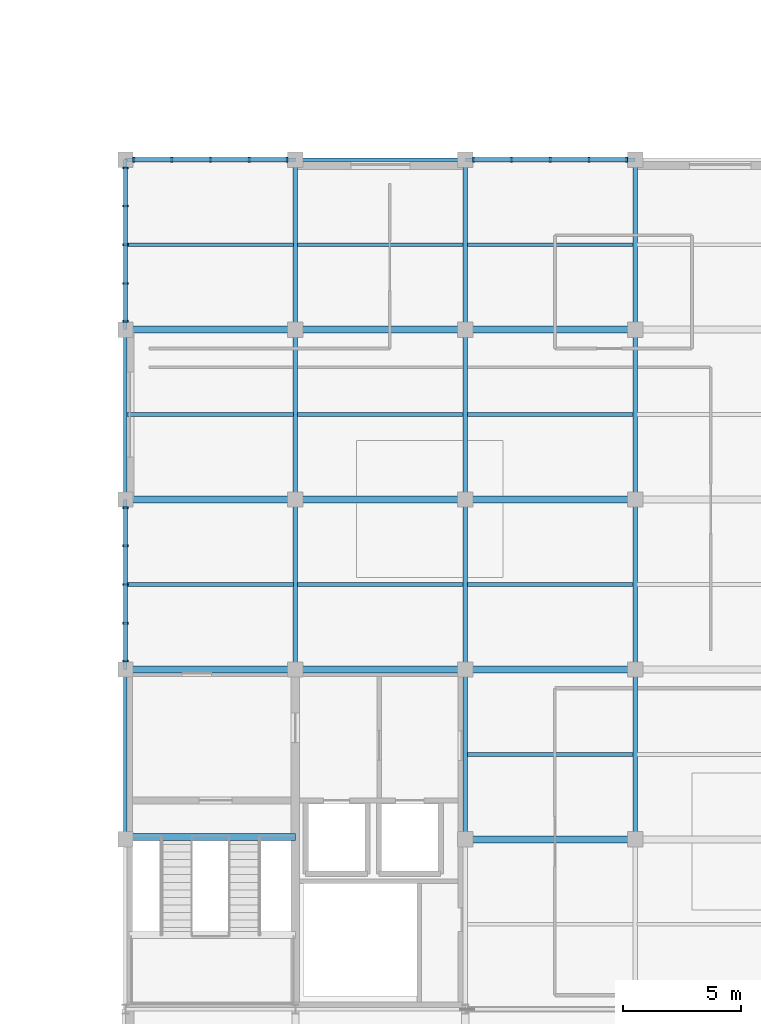
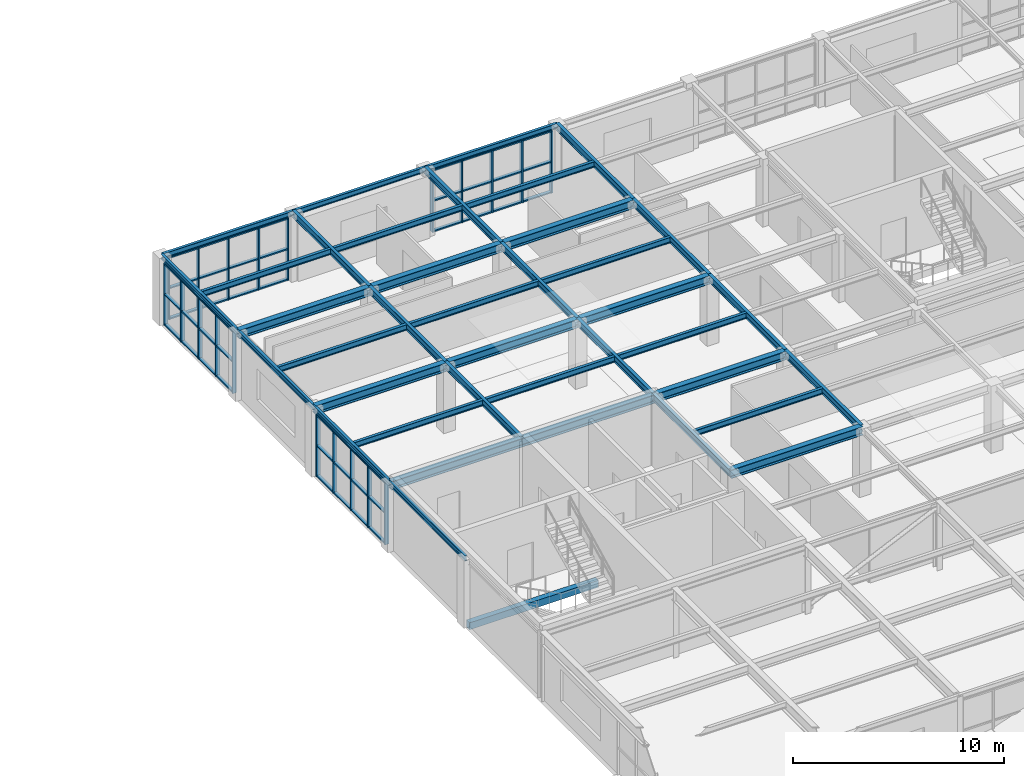
# One storey, part 39 of 83: 39 beams, 32 members, 4 elements without a shape of their own.
"""IFC4 building model written with IfcOpenShell, lengths in metres."""

from ifc_helpers import new_model, si_unit, direction, frame, origin, origin_2d, place, context, subcontext, project, spatial, rectangle, i_section, extrude, material, material_profile, profile_set, type_object, element, aggregate, save


model = new_model("IFC4")

# Units and contexts
model_context = context("Model", 3, precision=1e-05, world=origin(), true_north=direction((0.0, 1.0)))
body_context = subcontext(model_context, "Body", "Model", "MODEL_VIEW")
ifc_project = project(units=[si_unit("LENGTHUNIT", "METRE"), si_unit("AREAUNIT", "SQUARE_METRE"), si_unit("VOLUMEUNIT", "CUBIC_METRE"), si_unit("PLANEANGLEUNIT", "RADIAN"), si_unit("MASSUNIT", "GRAM", prefix="KILO")], contexts=[model_context])

# Site, building, storey
site_placement = place(None, origin())
site = spatial("IfcSite", under=ifc_project, at=site_placement, CompositionType="ELEMENT")
building_placement = place(site_placement, origin())
building = spatial("IfcBuilding", under=site, at=building_placement, Name="Leyfeld Transit Interchange", CompositionType="ELEMENT")
storey_placement = place(building_placement, frame((0.0, 0.0, 5.39990234375)))
storey = spatial("IfcBuildingStorey", under=building, at=storey_placement, Name="L01", CompositionType="ELEMENT", Elevation=5.39990234375)

# Beams
ifc_material_1 = material(Name="Concrete C35/45", Category="concrete")
ifc_material_profile_1 = material_profile(ifc_material_1, rectangle(XDim=0.300048828125, YDim=0.39990234375, at=origin_2d()), Name="RC 400x300")
ifc_profile_set_1 = profile_set([ifc_material_profile_1], Name="Concrete C35/45")
beam_type_1 = type_object("IfcBeamType", Name="BM-RC-400x300", PredefinedType="LINTEL", material=ifc_profile_set_1)
beam_1_placement = place(storey_placement, frame((136.949951171875, 64.89990234375, -0.199951171875), z_axis=(1.0, 0.0, 0.0), x_axis=(0.0, 1.0, 0.0)))
element("IfcBeam", 1, at=beam_1_placement, inside=storey, type_object=beam_type_1, Name="Core K4 Floor Landing Corbel L01", PredefinedType="LINTEL", context=body_context, shape_type="SweptSolid", body=[
    extrude(rectangle(XDim=0.300048828125, YDim=0.39990234375, at=origin_2d()), origin(), (0.0, 0.0, 1.0), 7.050048828125),
])
ifc_material_2 = material(Name="Steel S355J2", Category="steel")
ifc_material_profile_2 = material_profile(ifc_material_2, i_section(OverallWidth=0.300048828125, OverallDepth=0.5, WebThickness=0.014404296875, FlangeThickness=0.028076171875, FilletRadius=0.027099609375, at=origin_2d()), Name="HEB 500")
ifc_profile_set_2 = profile_set([ifc_material_profile_2], Name="Steel S355J2")
beam_type_2 = type_object("IfcBeamType", Name="BM-STL-HEB500", PredefinedType="JOIST", material=ifc_profile_set_2)
for number, where, z_axis, x_axis, name in (
    (2, (151.199951171875, 64.800048828125, 3.650146484375), (1.0, 0.0, 0.0), (0.0, 1.0, 0.0), "Beam BM-L01-1512_0648-1584_0648"),
    (3, (136.800048828125, 72.0, 3.650146484375), (1.0, 0.0, 0.0), (0.0, 1.0, 0.0), "Beam BM-L01-1368_0720-1440_0720"),
    (4, (144.0, 72.0, 3.650146484375), (1.0, 0.0, 0.0), (0.0, 1.0, 0.0), "Beam BM-L01-1440_0720-1512_0720"),
    (5, (151.199951171875, 72.0, 3.650146484375), (1.0, 0.0, 0.0), (0.0, 1.0, 0.0), "Beam BM-L01-1512_0720-1584_0720"),
    (6, (136.800048828125, 79.199951171875, 3.650146484375), (1.0, 0.0, 0.0), (0.0, 1.0, 0.0), "Beam BM-L01-1368_0792-1440_0792"),
    (7, (144.0, 79.199951171875, 3.650146484375), (1.0, 0.0, 0.0), (0.0, 1.0, 0.0), "Beam BM-L01-1440_0792-1512_0792"),
    (8, (151.199951171875, 79.199951171875, 3.650146484375), (1.0, 0.0, 0.0), (0.0, 1.0, 0.0), "Beam BM-L01-1512_0792-1584_0792"),
    (9, (136.800048828125, 86.39990234375, 3.650146484375), (1.0, 0.0, 0.0), (0.0, 1.0, 0.0), "Beam BM-L01-1368_0864-1440_0864"),
    (10, (144.0, 86.39990234375, 3.650146484375), (1.0, 0.0, 0.0), (0.0, 1.0, 0.0), "Beam BM-L01-1440_0864-1512_0864"),
    (11, (151.199951171875, 86.39990234375, 3.650146484375), (1.0, 0.0, 0.0), (0.0, 1.0, 0.0), "Beam BM-L01-1512_0864-1584_0864"),
):
    element("IfcBeam", number, at=place(storey_placement, frame(where, z_axis=z_axis, x_axis=x_axis)), inside=storey, type_object=beam_type_2, Name=name, PredefinedType="JOIST", context=body_context, shape_type="SweptSolid", body=[
        extrude(i_section(OverallWidth=0.300048828125, OverallDepth=0.5, WebThickness=0.014404296875, FlangeThickness=0.028076171875, FilletRadius=0.027099609375, at=origin_2d()), origin(), (0.0, 0.0, 1.0), 7.199951171875),
    ])
ifc_material_profile_3 = material_profile(ifc_material_2, i_section(OverallWidth=0.14990234375, OverallDepth=0.300048828125, WebThickness=0.007080078125, FlangeThickness=0.0107421875, FilletRadius=0.014892578125, at=origin_2d()), Name="IPE 300")
ifc_profile_set_3 = profile_set([ifc_material_profile_3], Name="Steel S355J2")
beam_type_3 = type_object("IfcBeamType", Name="BM-STL-IPE300", PredefinedType="SPANDREL", material=ifc_profile_set_3)
for number, where, z_axis, x_axis, name in (
    (12, (136.800048828125, 64.800048828125, 3.75), (0.0, 1.0, 0.0), (-1.0, 0.0, 0.0), "Beam BM-L01-1368_0648-1368_0720"),
    (13, (136.800048828125, 72.0, 3.75), (0.0, 1.0, 0.0), (-1.0, 0.0, 0.0), "Beam BM-L01-1368_0720-1368_0792"),
    (14, (136.800048828125, 79.199951171875, 3.75), (0.0, 1.0, 0.0), (-1.0, 0.0, 0.0), "Beam BM-L01-1368_0792-1368_0864"),
):
    element("IfcBeam", number, at=place(storey_placement, frame(where, z_axis=z_axis, x_axis=x_axis)), inside=storey, type_object=beam_type_3, Name=name, PredefinedType="SPANDREL", context=body_context, shape_type="SweptSolid", body=[
        extrude(i_section(OverallWidth=0.14990234375, OverallDepth=0.300048828125, WebThickness=0.007080078125, FlangeThickness=0.0107421875, FilletRadius=0.014892578125, at=origin_2d()), origin(), (0.0, 0.0, 1.0), 7.199951171875),
    ])
beam_2_placement = place(storey_placement, frame((136.800048828125, 86.39990234375, 3.75), z_axis=(0.0, 1.0, 0.0), x_axis=(-1.0, 0.0, 0.0)))
element("IfcBeam", 15, at=beam_2_placement, inside=storey, type_object=beam_type_3, Name="Beam BM-L01-1368_0864-1368_0936", PredefinedType="SPANDREL", context=body_context, shape_type="SweptSolid", body=[
    extrude(i_section(OverallWidth=0.14990234375, OverallDepth=0.300048828125, WebThickness=0.007080078125, FlangeThickness=0.0107421875, FilletRadius=0.014892578125, at=origin_2d()), origin(), (0.0, 0.0, 1.0), 7.2001953125),
])
for number, where, z_axis, x_axis, name in (
    (16, (136.800048828125, 93.60009765625, 3.75), (1.0, 0.0, 0.0), (0.0, 1.0, 0.0), "Beam BM-L01-1368_0936-1440_0936"),
    (17, (144.0, 93.60009765625, 3.75), (1.0, 0.0, 0.0), (0.0, 1.0, 0.0), "Beam BM-L01-1440_0936-1512_0936"),
    (18, (151.199951171875, 93.60009765625, 3.75), (1.0, 0.0, 0.0), (0.0, 1.0, 0.0), "Beam BM-L01-1512_0936-1584_0936"),
):
    element("IfcBeam", number, at=place(storey_placement, frame(where, z_axis=z_axis, x_axis=x_axis)), inside=storey, type_object=beam_type_3, Name=name, PredefinedType="SPANDREL", context=body_context, shape_type="SweptSolid", body=[
        extrude(i_section(OverallWidth=0.14990234375, OverallDepth=0.300048828125, WebThickness=0.007080078125, FlangeThickness=0.0107421875, FilletRadius=0.014892578125, at=origin_2d()), origin(), (0.0, 0.0, 1.0), 7.199951171875),
    ])
ifc_material_profile_4 = material_profile(ifc_material_2, i_section(OverallWidth=0.159912109375, OverallDepth=0.330078125, WebThickness=0.007568359375, FlangeThickness=0.011474609375, FilletRadius=0.01806640625, at=origin_2d()), Name="IPE 330")
ifc_profile_set_4 = profile_set([ifc_material_profile_4], Name="Steel S355J2")
beam_type_4 = type_object("IfcBeamType", Name="BM-STL-IPE330", PredefinedType="BEAM", material=ifc_profile_set_4)
beam_3_placement = place(storey_placement, frame((151.287109375, 68.39990234375, 3.735107421875), z_axis=(1.0, 0.0, 0.0), x_axis=(0.0, 1.0, 0.0)))
element("IfcBeam", 19, at=beam_3_placement, inside=storey, type_object=beam_type_4, Name="Beam BM-L01-1513_0684-1583_0684", PredefinedType="BEAM", context=body_context, shape_type="SweptSolid", body=[
    extrude(i_section(OverallWidth=0.159912109375, OverallDepth=0.330078125, WebThickness=0.007568359375, FlangeThickness=0.011474609375, FilletRadius=0.01806640625, at=origin_2d()), origin(), (0.0, 0.0, 1.0), 7.02587890625),
])
beam_4_placement = place(storey_placement, frame((136.8720703125, 75.60009765625, 3.735107421875), z_axis=(1.0, 0.0, 0.0), x_axis=(0.0, 1.0, 0.0)))
element("IfcBeam", 20, at=beam_4_placement, inside=storey, type_object=beam_type_4, Name="Beam BM-L01-1369_0756-1439_0756", PredefinedType="BEAM", context=body_context, shape_type="SweptSolid", body=[
    extrude(i_section(OverallWidth=0.159912109375, OverallDepth=0.330078125, WebThickness=0.007568359375, FlangeThickness=0.011474609375, FilletRadius=0.01806640625, at=origin_2d()), origin(), (0.0, 0.0, 1.0), 7.041015625),
])
beam_5_placement = place(storey_placement, frame((144.0869140625, 75.60009765625, 3.735107421875), z_axis=(1.0, 0.0, 0.0), x_axis=(0.0, 1.0, 0.0)))
element("IfcBeam", 21, at=beam_5_placement, inside=storey, type_object=beam_type_4, Name="Beam BM-L01-1441_0756-1511_0756", PredefinedType="BEAM", context=body_context, shape_type="SweptSolid", body=[
    extrude(i_section(OverallWidth=0.159912109375, OverallDepth=0.330078125, WebThickness=0.007568359375, FlangeThickness=0.011474609375, FilletRadius=0.01806640625, at=origin_2d()), origin(), (0.0, 0.0, 1.0), 7.026123046875),
])
beam_6_placement = place(storey_placement, frame((151.287109375, 75.60009765625, 3.735107421875), z_axis=(1.0, 0.0, 0.0), x_axis=(0.0, 1.0, 0.0)))
element("IfcBeam", 22, at=beam_6_placement, inside=storey, type_object=beam_type_4, Name="Beam BM-L01-1513_0756-1583_0756", PredefinedType="BEAM", context=body_context, shape_type="SweptSolid", body=[
    extrude(i_section(OverallWidth=0.159912109375, OverallDepth=0.330078125, WebThickness=0.007568359375, FlangeThickness=0.011474609375, FilletRadius=0.01806640625, at=origin_2d()), origin(), (0.0, 0.0, 1.0), 7.02587890625),
])
beam_7_placement = place(storey_placement, frame((136.8720703125, 82.800048828125, 3.735107421875), z_axis=(1.0, 0.0, 0.0), x_axis=(0.0, 1.0, 0.0)))
element("IfcBeam", 23, at=beam_7_placement, inside=storey, type_object=beam_type_4, Name="Beam BM-L01-1369_0828-1439_0828", PredefinedType="BEAM", context=body_context, shape_type="SweptSolid", body=[
    extrude(i_section(OverallWidth=0.159912109375, OverallDepth=0.330078125, WebThickness=0.007568359375, FlangeThickness=0.011474609375, FilletRadius=0.01806640625, at=origin_2d()), origin(), (0.0, 0.0, 1.0), 7.041015625),
])
beam_8_placement = place(storey_placement, frame((144.0869140625, 82.800048828125, 3.735107421875), z_axis=(1.0, 0.0, 0.0), x_axis=(0.0, 1.0, 0.0)))
element("IfcBeam", 24, at=beam_8_placement, inside=storey, type_object=beam_type_4, Name="Beam BM-L01-1441_0828-1511_0828", PredefinedType="BEAM", context=body_context, shape_type="SweptSolid", body=[
    extrude(i_section(OverallWidth=0.159912109375, OverallDepth=0.330078125, WebThickness=0.007568359375, FlangeThickness=0.011474609375, FilletRadius=0.01806640625, at=origin_2d()), origin(), (0.0, 0.0, 1.0), 7.026123046875),
])
beam_9_placement = place(storey_placement, frame((151.287109375, 82.800048828125, 3.735107421875), z_axis=(1.0, 0.0, 0.0), x_axis=(0.0, 1.0, 0.0)))
element("IfcBeam", 25, at=beam_9_placement, inside=storey, type_object=beam_type_4, Name="Beam BM-L01-1513_0828-1583_0828", PredefinedType="BEAM", context=body_context, shape_type="SweptSolid", body=[
    extrude(i_section(OverallWidth=0.159912109375, OverallDepth=0.330078125, WebThickness=0.007568359375, FlangeThickness=0.011474609375, FilletRadius=0.01806640625, at=origin_2d()), origin(), (0.0, 0.0, 1.0), 7.02587890625),
])
beam_10_placement = place(storey_placement, frame((136.8720703125, 90.0, 3.735107421875), z_axis=(1.0, 0.0, 0.0), x_axis=(0.0, 1.0, 0.0)))
element("IfcBeam", 26, at=beam_10_placement, inside=storey, type_object=beam_type_4, Name="Beam BM-L01-1369_0900-1439_0900", PredefinedType="BEAM", context=body_context, shape_type="SweptSolid", body=[
    extrude(i_section(OverallWidth=0.159912109375, OverallDepth=0.330078125, WebThickness=0.007568359375, FlangeThickness=0.011474609375, FilletRadius=0.01806640625, at=origin_2d()), origin(), (0.0, 0.0, 1.0), 7.041015625),
])
beam_11_placement = place(storey_placement, frame((144.0869140625, 90.0, 3.735107421875), z_axis=(1.0, 0.0, 0.0), x_axis=(0.0, 1.0, 0.0)))
element("IfcBeam", 27, at=beam_11_placement, inside=storey, type_object=beam_type_4, Name="Beam BM-L01-1441_0900-1511_0900", PredefinedType="BEAM", context=body_context, shape_type="SweptSolid", body=[
    extrude(i_section(OverallWidth=0.159912109375, OverallDepth=0.330078125, WebThickness=0.007568359375, FlangeThickness=0.011474609375, FilletRadius=0.01806640625, at=origin_2d()), origin(), (0.0, 0.0, 1.0), 7.026123046875),
])
beam_12_placement = place(storey_placement, frame((151.287109375, 90.0, 3.735107421875), z_axis=(1.0, 0.0, 0.0), x_axis=(0.0, 1.0, 0.0)))
element("IfcBeam", 28, at=beam_12_placement, inside=storey, type_object=beam_type_4, Name="Beam BM-L01-1513_0900-1583_0900", PredefinedType="BEAM", context=body_context, shape_type="SweptSolid", body=[
    extrude(i_section(OverallWidth=0.159912109375, OverallDepth=0.330078125, WebThickness=0.007568359375, FlangeThickness=0.011474609375, FilletRadius=0.01806640625, at=origin_2d()), origin(), (0.0, 0.0, 1.0), 7.02587890625),
])
ifc_material_profile_5 = material_profile(ifc_material_2, i_section(OverallWidth=0.179931640625, OverallDepth=0.39990234375, WebThickness=0.008544921875, FlangeThickness=0.013427734375, FilletRadius=0.02099609375, at=origin_2d()), Name="IPE 400")
ifc_profile_set_5 = profile_set([ifc_material_profile_5], Name="Steel S355J2")
beam_type_5 = type_object("IfcBeamType", Name="BM-STL-IPE400", PredefinedType="BEAM", material=ifc_profile_set_5)
for number, where, z_axis, x_axis, name in (
    (29, (144.0, 72.0, 3.7001953125), (0.0, 1.0, 0.0), (-1.0, 0.0, 0.0), "Beam BM-L01-1440_0720-1440_0792"),
    (30, (144.0, 79.199951171875, 3.7001953125), (0.0, 1.0, 0.0), (-1.0, 0.0, 0.0), "Beam BM-L01-1440_0792-1440_0864"),
):
    element("IfcBeam", number, at=place(storey_placement, frame(where, z_axis=z_axis, x_axis=x_axis)), inside=storey, type_object=beam_type_5, Name=name, PredefinedType="BEAM", context=body_context, shape_type="SweptSolid", body=[
        extrude(i_section(OverallWidth=0.179931640625, OverallDepth=0.39990234375, WebThickness=0.008544921875, FlangeThickness=0.013427734375, FilletRadius=0.02099609375, at=origin_2d()), origin(), (0.0, 0.0, 1.0), 7.199951171875),
    ])
beam_13_placement = place(storey_placement, frame((144.0, 86.39990234375, 3.7001953125), z_axis=(0.0, 1.0, 0.0), x_axis=(-1.0, 0.0, 0.0)))
element("IfcBeam", 31, at=beam_13_placement, inside=storey, type_object=beam_type_5, Name="Beam BM-L01-1440_0864-1440_0936", PredefinedType="BEAM", context=body_context, shape_type="SweptSolid", body=[
    extrude(i_section(OverallWidth=0.179931640625, OverallDepth=0.39990234375, WebThickness=0.008544921875, FlangeThickness=0.013427734375, FilletRadius=0.02099609375, at=origin_2d()), origin(), (0.0, 0.0, 1.0), 7.2001953125),
])
for number, where, z_axis, x_axis, name in (
    (32, (151.199951171875, 64.800048828125, 3.7001953125), (0.0, 1.0, 0.0), (-1.0, 0.0, 0.0), "Beam BM-L01-1512_0648-1512_0720"),
    (33, (151.199951171875, 72.0, 3.7001953125), (0.0, 1.0, 0.0), (-1.0, 0.0, 0.0), "Beam BM-L01-1512_0720-1512_0792"),
    (34, (151.199951171875, 79.199951171875, 3.7001953125), (0.0, 1.0, 0.0), (-1.0, 0.0, 0.0), "Beam BM-L01-1512_0792-1512_0864"),
):
    element("IfcBeam", number, at=place(storey_placement, frame(where, z_axis=z_axis, x_axis=x_axis)), inside=storey, type_object=beam_type_5, Name=name, PredefinedType="BEAM", context=body_context, shape_type="SweptSolid", body=[
        extrude(i_section(OverallWidth=0.179931640625, OverallDepth=0.39990234375, WebThickness=0.008544921875, FlangeThickness=0.013427734375, FilletRadius=0.02099609375, at=origin_2d()), origin(), (0.0, 0.0, 1.0), 7.199951171875),
    ])
beam_14_placement = place(storey_placement, frame((151.199951171875, 86.39990234375, 3.7001953125), z_axis=(0.0, 1.0, 0.0), x_axis=(-1.0, 0.0, 0.0)))
element("IfcBeam", 35, at=beam_14_placement, inside=storey, type_object=beam_type_5, Name="Beam BM-L01-1512_0864-1512_0936", PredefinedType="BEAM", context=body_context, shape_type="SweptSolid", body=[
    extrude(i_section(OverallWidth=0.179931640625, OverallDepth=0.39990234375, WebThickness=0.008544921875, FlangeThickness=0.013427734375, FilletRadius=0.02099609375, at=origin_2d()), origin(), (0.0, 0.0, 1.0), 7.2001953125),
])
for number, where, z_axis, x_axis, name in (
    (36, (158.39990234375, 64.800048828125, 3.7001953125), (0.0, 1.0, 0.0), (-1.0, 0.0, 0.0), "Beam BM-L01-1584_0648-1584_0720"),
    (37, (158.39990234375, 72.0, 3.7001953125), (0.0, 1.0, 0.0), (-1.0, 0.0, 0.0), "Beam BM-L01-1584_0720-1584_0792"),
    (38, (158.39990234375, 79.199951171875, 3.7001953125), (0.0, 1.0, 0.0), (-1.0, 0.0, 0.0), "Beam BM-L01-1584_0792-1584_0864"),
):
    element("IfcBeam", number, at=place(storey_placement, frame(where, z_axis=z_axis, x_axis=x_axis)), inside=storey, type_object=beam_type_5, Name=name, PredefinedType="BEAM", context=body_context, shape_type="SweptSolid", body=[
        extrude(i_section(OverallWidth=0.179931640625, OverallDepth=0.39990234375, WebThickness=0.008544921875, FlangeThickness=0.013427734375, FilletRadius=0.02099609375, at=origin_2d()), origin(), (0.0, 0.0, 1.0), 7.199951171875),
    ])
beam_15_placement = place(storey_placement, frame((158.39990234375, 86.39990234375, 3.7001953125), z_axis=(0.0, 1.0, 0.0), x_axis=(-1.0, 0.0, 0.0)))
element("IfcBeam", 39, at=beam_15_placement, inside=storey, type_object=beam_type_5, Name="Beam BM-L01-1584_0864-1584_0936", PredefinedType="BEAM", context=body_context, shape_type="SweptSolid", body=[
    extrude(i_section(OverallWidth=0.179931640625, OverallDepth=0.39990234375, WebThickness=0.008544921875, FlangeThickness=0.013427734375, FilletRadius=0.02099609375, at=origin_2d()), origin(), (0.0, 0.0, 1.0), 7.2001953125),
])

# Curtain wall, members
ifc_material_3 = material(Name="Anodised aluminium EN AW-6060 T66", Category="aluminium")
curtain_wall_type = type_object("IfcCurtainWallType", Name="CW-SYS-BUS-7200", PredefinedType="NOTDEFINED", material=ifc_material_3)
curtain_wall_1_placement = place(storey_placement, origin())
curtain_wall_1 = element("IfcCurtainWall", 40, at=curtain_wall_1_placement, inside=storey, type_object=curtain_wall_type, Name="Curtain Wall CW-L01-088", PredefinedType="NOTDEFINED")
ifc_material_profile_6 = material_profile(ifc_material_3, rectangle(XDim=0.074951171875, YDim=0.219970703125, at=origin_2d()), Name="CW-M 75x220")
ifc_profile_set_6 = profile_set([ifc_material_profile_6], Name="Anodised aluminium EN AW-6060 T66")
member_type_1 = type_object("IfcMemberType", Name="CW-MUL-180x70", PredefinedType="MULLION", material=ifc_profile_set_6)
member_1_placement = place(storey_placement, frame((137.152587890625, 93.60009765625, 0.0), z_axis=(0.0, 0.0, 1.0), x_axis=(1.0, 0.0, 0.0)))
member_1 = element("IfcMember", 41, at=member_1_placement, type_object=member_type_1, Name="Curtain Mullion CW-L01-088-M01", PredefinedType="MULLION", context=body_context, shape_type="SweptSolid", body=[
    extrude(rectangle(XDim=0.074951171875, YDim=0.219970703125, at=origin_2d()), origin(), (0.0, 0.0, 1.0), 3.60009765625),
])
member_2_placement = place(storey_placement, frame((138.757568359375, 93.60009765625, 0.0), z_axis=(0.0, 0.0, 1.0), x_axis=(1.0, 0.0, 0.0)))
member_2 = element("IfcMember", 42, at=member_2_placement, type_object=member_type_1, Name="Curtain Mullion CW-L01-088-M02", PredefinedType="MULLION", context=body_context, shape_type="SweptSolid", body=[
    extrude(rectangle(XDim=0.074951171875, YDim=0.219970703125, at=origin_2d()), origin(), (0.0, 0.0, 1.0), 3.60009765625),
])
member_3_placement = place(storey_placement, frame((140.39990234375, 93.60009765625, 0.0), z_axis=(0.0, 0.0, 1.0), x_axis=(1.0, 0.0, 0.0)))
member_3 = element("IfcMember", 43, at=member_3_placement, type_object=member_type_1, Name="Curtain Mullion CW-L01-088-M03", PredefinedType="MULLION", context=body_context, shape_type="SweptSolid", body=[
    extrude(rectangle(XDim=0.074951171875, YDim=0.219970703125, at=origin_2d()), origin(), (0.0, 0.0, 1.0), 3.60009765625),
])
member_4_placement = place(storey_placement, frame((142.04248046875, 93.60009765625, 0.0), z_axis=(0.0, 0.0, 1.0), x_axis=(1.0, 0.0, 0.0)))
member_4 = element("IfcMember", 44, at=member_4_placement, type_object=member_type_1, Name="Curtain Mullion CW-L01-088-M04", PredefinedType="MULLION", context=body_context, shape_type="SweptSolid", body=[
    extrude(rectangle(XDim=0.074951171875, YDim=0.219970703125, at=origin_2d()), origin(), (0.0, 0.0, 1.0), 3.60009765625),
])
member_5_placement = place(storey_placement, frame((143.6474609375, 93.60009765625, 0.0), z_axis=(0.0, 0.0, 1.0), x_axis=(1.0, 0.0, 0.0)))
member_5 = element("IfcMember", 45, at=member_5_placement, type_object=member_type_1, Name="Curtain Mullion CW-L01-088-M05", PredefinedType="MULLION", context=body_context, shape_type="SweptSolid", body=[
    extrude(rectangle(XDim=0.074951171875, YDim=0.219970703125, at=origin_2d()), origin(), (0.0, 0.0, 1.0), 3.60009765625),
])

curtain_wall_2_placement = place(storey_placement, origin())
curtain_wall_2 = element("IfcCurtainWall", 46, at=curtain_wall_2_placement, inside=storey, type_object=curtain_wall_type, Name="Curtain Wall CW-L01-089", PredefinedType="NOTDEFINED")
member_6_placement = place(storey_placement, frame((151.552490234375, 93.60009765625, 0.0), z_axis=(0.0, 0.0, 1.0), x_axis=(1.0, 0.0, 0.0)))
member_6 = element("IfcMember", 47, at=member_6_placement, type_object=member_type_1, Name="Curtain Mullion CW-L01-089-M01", PredefinedType="MULLION", context=body_context, shape_type="SweptSolid", body=[
    extrude(rectangle(XDim=0.074951171875, YDim=0.219970703125, at=origin_2d()), origin(), (0.0, 0.0, 1.0), 3.60009765625),
])
member_7_placement = place(storey_placement, frame((153.157470703125, 93.60009765625, 0.0), z_axis=(0.0, 0.0, 1.0), x_axis=(1.0, 0.0, 0.0)))
member_7 = element("IfcMember", 48, at=member_7_placement, type_object=member_type_1, Name="Curtain Mullion CW-L01-089-M02", PredefinedType="MULLION", context=body_context, shape_type="SweptSolid", body=[
    extrude(rectangle(XDim=0.074951171875, YDim=0.219970703125, at=origin_2d()), origin(), (0.0, 0.0, 1.0), 3.60009765625),
])
member_8_placement = place(storey_placement, frame((154.800048828125, 93.60009765625, 0.0), z_axis=(0.0, 0.0, 1.0), x_axis=(1.0, 0.0, 0.0)))
member_8 = element("IfcMember", 49, at=member_8_placement, type_object=member_type_1, Name="Curtain Mullion CW-L01-089-M03", PredefinedType="MULLION", context=body_context, shape_type="SweptSolid", body=[
    extrude(rectangle(XDim=0.074951171875, YDim=0.219970703125, at=origin_2d()), origin(), (0.0, 0.0, 1.0), 3.60009765625),
])
member_9_placement = place(storey_placement, frame((156.4423828125, 93.60009765625, 0.0), z_axis=(0.0, 0.0, 1.0), x_axis=(1.0, 0.0, 0.0)))
member_9 = element("IfcMember", 50, at=member_9_placement, type_object=member_type_1, Name="Curtain Mullion CW-L01-089-M04", PredefinedType="MULLION", context=body_context, shape_type="SweptSolid", body=[
    extrude(rectangle(XDim=0.074951171875, YDim=0.219970703125, at=origin_2d()), origin(), (0.0, 0.0, 1.0), 3.60009765625),
])
member_10_placement = place(storey_placement, frame((158.047607421875, 93.60009765625, 0.0), z_axis=(0.0, 0.0, 1.0), x_axis=(1.0, 0.0, 0.0)))
member_10 = element("IfcMember", 51, at=member_10_placement, type_object=member_type_1, Name="Curtain Mullion CW-L01-089-M05", PredefinedType="MULLION", context=body_context, shape_type="SweptSolid", body=[
    extrude(rectangle(XDim=0.074951171875, YDim=0.219970703125, at=origin_2d()), origin(), (0.0, 0.0, 1.0), 3.60009765625),
])

curtain_wall_3_placement = place(storey_placement, origin())
curtain_wall_3 = element("IfcCurtainWall", 52, at=curtain_wall_3_placement, inside=storey, type_object=curtain_wall_type, Name="Curtain Wall CW-L01-101", PredefinedType="NOTDEFINED")
member_11_placement = place(storey_placement, frame((136.800048828125, 72.3525390625, 0.0), z_axis=(0.0, 0.0, 1.0), x_axis=(0.0, 1.0, 0.0)))
member_11 = element("IfcMember", 53, at=member_11_placement, type_object=member_type_1, Name="Curtain Mullion CW-L01-101-M01", PredefinedType="MULLION", context=body_context, shape_type="SweptSolid", body=[
    extrude(rectangle(XDim=0.074951171875, YDim=0.219970703125, at=origin_2d()), origin(), (0.0, 0.0, 1.0), 3.570068359375),
])
member_12_placement = place(storey_placement, frame((136.800048828125, 73.95751953125, 0.0), z_axis=(0.0, 0.0, 1.0), x_axis=(0.0, 1.0, 0.0)))
member_12 = element("IfcMember", 54, at=member_12_placement, type_object=member_type_1, Name="Curtain Mullion CW-L01-101-M02", PredefinedType="MULLION", context=body_context, shape_type="SweptSolid", body=[
    extrude(rectangle(XDim=0.074951171875, YDim=0.219970703125, at=origin_2d()), origin(), (0.0, 0.0, 1.0), 3.570068359375),
])
member_13_placement = place(storey_placement, frame((136.800048828125, 75.60009765625, 0.0), z_axis=(0.0, 0.0, 1.0), x_axis=(0.0, 1.0, 0.0)))
member_13 = element("IfcMember", 55, at=member_13_placement, type_object=member_type_1, Name="Curtain Mullion CW-L01-101-M03", PredefinedType="MULLION", context=body_context, shape_type="SweptSolid", body=[
    extrude(rectangle(XDim=0.074951171875, YDim=0.219970703125, at=origin_2d()), origin(), (0.0, 0.0, 1.0), 3.570068359375),
])
member_14_placement = place(storey_placement, frame((136.800048828125, 77.242431640625, 0.0), z_axis=(0.0, 0.0, 1.0), x_axis=(0.0, 1.0, 0.0)))
member_14 = element("IfcMember", 56, at=member_14_placement, type_object=member_type_1, Name="Curtain Mullion CW-L01-101-M04", PredefinedType="MULLION", context=body_context, shape_type="SweptSolid", body=[
    extrude(rectangle(XDim=0.074951171875, YDim=0.219970703125, at=origin_2d()), origin(), (0.0, 0.0, 1.0), 3.570068359375),
])
member_15_placement = place(storey_placement, frame((136.800048828125, 78.847412109375, 0.0), z_axis=(0.0, 0.0, 1.0), x_axis=(0.0, 1.0, 0.0)))
member_15 = element("IfcMember", 57, at=member_15_placement, type_object=member_type_1, Name="Curtain Mullion CW-L01-101-M05", PredefinedType="MULLION", context=body_context, shape_type="SweptSolid", body=[
    extrude(rectangle(XDim=0.074951171875, YDim=0.219970703125, at=origin_2d()), origin(), (0.0, 0.0, 1.0), 3.570068359375),
])

curtain_wall_4_placement = place(storey_placement, origin())
curtain_wall_4 = element("IfcCurtainWall", 58, at=curtain_wall_4_placement, inside=storey, type_object=curtain_wall_type, Name="Curtain Wall CW-L01-102", PredefinedType="NOTDEFINED")
member_16_placement = place(storey_placement, frame((136.800048828125, 86.75244140625, 0.0), z_axis=(0.0, 0.0, 1.0), x_axis=(0.0, 1.0, 0.0)))
member_16 = element("IfcMember", 59, at=member_16_placement, type_object=member_type_1, Name="Curtain Mullion CW-L01-102-M01", PredefinedType="MULLION", context=body_context, shape_type="SweptSolid", body=[
    extrude(rectangle(XDim=0.074951171875, YDim=0.219970703125, at=origin_2d()), origin(), (0.0, 0.0, 1.0), 3.570068359375),
])
member_17_placement = place(storey_placement, frame((136.800048828125, 88.357421875, 0.0), z_axis=(0.0, 0.0, 1.0), x_axis=(0.0, 1.0, 0.0)))
member_17 = element("IfcMember", 60, at=member_17_placement, type_object=member_type_1, Name="Curtain Mullion CW-L01-102-M02", PredefinedType="MULLION", context=body_context, shape_type="SweptSolid", body=[
    extrude(rectangle(XDim=0.074951171875, YDim=0.219970703125, at=origin_2d()), origin(), (0.0, 0.0, 1.0), 3.570068359375),
])
member_18_placement = place(storey_placement, frame((136.800048828125, 90.0, 0.0), z_axis=(0.0, 0.0, 1.0), x_axis=(0.0, 1.0, 0.0)))
member_18 = element("IfcMember", 61, at=member_18_placement, type_object=member_type_1, Name="Curtain Mullion CW-L01-102-M03", PredefinedType="MULLION", context=body_context, shape_type="SweptSolid", body=[
    extrude(rectangle(XDim=0.074951171875, YDim=0.219970703125, at=origin_2d()), origin(), (0.0, 0.0, 1.0), 3.570068359375),
])
member_19_placement = place(storey_placement, frame((136.800048828125, 91.642578125, 0.0), z_axis=(0.0, 0.0, 1.0), x_axis=(0.0, 1.0, 0.0)))
member_19 = element("IfcMember", 62, at=member_19_placement, type_object=member_type_1, Name="Curtain Mullion CW-L01-102-M04", PredefinedType="MULLION", context=body_context, shape_type="SweptSolid", body=[
    extrude(rectangle(XDim=0.074951171875, YDim=0.219970703125, at=origin_2d()), origin(), (0.0, 0.0, 1.0), 3.570068359375),
])
member_20_placement = place(storey_placement, frame((136.800048828125, 93.24755859375, 0.0), z_axis=(0.0, 0.0, 1.0), x_axis=(0.0, 1.0, 0.0)))
member_20 = element("IfcMember", 63, at=member_20_placement, type_object=member_type_1, Name="Curtain Mullion CW-L01-102-M05", PredefinedType="MULLION", context=body_context, shape_type="SweptSolid", body=[
    extrude(rectangle(XDim=0.074951171875, YDim=0.219970703125, at=origin_2d()), origin(), (0.0, 0.0, 1.0), 3.570068359375),
])

# Member
ifc_material_profile_7 = material_profile(ifc_material_3, rectangle(XDim=0.179931640625, YDim=0.074951171875, at=origin_2d()), Name="CW-TRN-160x70")
ifc_profile_set_7 = profile_set([ifc_material_profile_7], Name="Anodised aluminium EN AW-6060 T66")
member_type_2 = type_object("IfcMemberType", Name="CW-TRN-160x70", PredefinedType="USERDEFINED", material=ifc_profile_set_7)
member_21_placement = place(storey_placement, frame((137.114990234375, 93.60009765625, 0.03759765625), z_axis=(1.0, 0.0, 0.0), x_axis=(0.0, 1.0, 0.0)))
member_21 = element("IfcMember", 64, at=member_21_placement, type_object=member_type_2, Name="Curtain Transom CW-L01-088-T01", ObjectType="TRANSOM", PredefinedType="USERDEFINED", context=body_context, shape_type="SweptSolid", body=[
    extrude(rectangle(XDim=0.179931640625, YDim=0.074951171875, at=origin_2d()), origin(), (0.0, 0.0, 1.0), 6.570068359375),
])

member_22_placement = place(storey_placement, frame((137.114990234375, 93.60009765625, 1.800048828125), z_axis=(1.0, 0.0, 0.0), x_axis=(0.0, 1.0, 0.0)))
member_22 = element("IfcMember", 65, at=member_22_placement, type_object=member_type_2, Name="Curtain Transom CW-L01-088-T02", ObjectType="TRANSOM", PredefinedType="USERDEFINED", context=body_context, shape_type="SweptSolid", body=[
    extrude(rectangle(XDim=0.179931640625, YDim=0.074951171875, at=origin_2d()), origin(), (0.0, 0.0, 1.0), 6.570068359375),
])

member_23_placement = place(storey_placement, frame((137.114990234375, 93.60009765625, 3.5625), z_axis=(1.0, 0.0, 0.0), x_axis=(0.0, 1.0, 0.0)))
member_23 = element("IfcMember", 66, at=member_23_placement, type_object=member_type_2, Name="Curtain Transom CW-L01-088-T03", ObjectType="TRANSOM", PredefinedType="USERDEFINED", context=body_context, shape_type="SweptSolid", body=[
    extrude(rectangle(XDim=0.179931640625, YDim=0.074951171875, at=origin_2d()), origin(), (0.0, 0.0, 1.0), 6.570068359375),
])

aggregate(curtain_wall_1, [member_1, member_2, member_3, member_4, member_5, member_21, member_22, member_23])

member_24_placement = place(storey_placement, frame((151.514892578125, 93.60009765625, 0.03759765625), z_axis=(1.0, 0.0, 0.0), x_axis=(0.0, 1.0, 0.0)))
member_24 = element("IfcMember", 67, at=member_24_placement, type_object=member_type_2, Name="Curtain Transom CW-L01-089-T01", ObjectType="TRANSOM", PredefinedType="USERDEFINED", context=body_context, shape_type="SweptSolid", body=[
    extrude(rectangle(XDim=0.179931640625, YDim=0.074951171875, at=origin_2d()), origin(), (0.0, 0.0, 1.0), 6.570068359375),
])

member_25_placement = place(storey_placement, frame((151.514892578125, 93.60009765625, 1.800048828125), z_axis=(1.0, 0.0, 0.0), x_axis=(0.0, 1.0, 0.0)))
member_25 = element("IfcMember", 68, at=member_25_placement, type_object=member_type_2, Name="Curtain Transom CW-L01-089-T02", ObjectType="TRANSOM", PredefinedType="USERDEFINED", context=body_context, shape_type="SweptSolid", body=[
    extrude(rectangle(XDim=0.179931640625, YDim=0.074951171875, at=origin_2d()), origin(), (0.0, 0.0, 1.0), 6.570068359375),
])

member_26_placement = place(storey_placement, frame((151.514892578125, 93.60009765625, 3.5625), z_axis=(1.0, 0.0, 0.0), x_axis=(0.0, 1.0, 0.0)))
member_26 = element("IfcMember", 69, at=member_26_placement, type_object=member_type_2, Name="Curtain Transom CW-L01-089-T03", ObjectType="TRANSOM", PredefinedType="USERDEFINED", context=body_context, shape_type="SweptSolid", body=[
    extrude(rectangle(XDim=0.179931640625, YDim=0.074951171875, at=origin_2d()), origin(), (0.0, 0.0, 1.0), 6.570068359375),
])

aggregate(curtain_wall_2, [member_6, member_7, member_8, member_9, member_10, member_24, member_25, member_26])

member_27_placement = place(storey_placement, frame((136.800048828125, 72.31494140625, 0.03759765625), z_axis=(0.0, 1.0, 0.0), x_axis=(-1.0, 0.0, 0.0)))
member_27 = element("IfcMember", 70, at=member_27_placement, type_object=member_type_2, Name="Curtain Transom CW-L01-101-T01", ObjectType="TRANSOM", PredefinedType="USERDEFINED", context=body_context, shape_type="SweptSolid", body=[
    extrude(rectangle(XDim=0.179931640625, YDim=0.074951171875, at=origin_2d()), origin(), (0.0, 0.0, 1.0), 6.570068359375),
])

member_28_placement = place(storey_placement, frame((136.800048828125, 72.31494140625, 1.78515625), z_axis=(0.0, 1.0, 0.0), x_axis=(-1.0, 0.0, 0.0)))
member_28 = element("IfcMember", 71, at=member_28_placement, type_object=member_type_2, Name="Curtain Transom CW-L01-101-T02", ObjectType="TRANSOM", PredefinedType="USERDEFINED", context=body_context, shape_type="SweptSolid", body=[
    extrude(rectangle(XDim=0.179931640625, YDim=0.074951171875, at=origin_2d()), origin(), (0.0, 0.0, 1.0), 6.570068359375),
])

member_29_placement = place(storey_placement, frame((136.800048828125, 72.31494140625, 3.53271484375), z_axis=(0.0, 1.0, 0.0), x_axis=(-1.0, 0.0, 0.0)))
member_29 = element("IfcMember", 72, at=member_29_placement, type_object=member_type_2, Name="Curtain Transom CW-L01-101-T03", ObjectType="TRANSOM", PredefinedType="USERDEFINED", context=body_context, shape_type="SweptSolid", body=[
    extrude(rectangle(XDim=0.179931640625, YDim=0.074951171875, at=origin_2d()), origin(), (0.0, 0.0, 1.0), 6.570068359375),
])

aggregate(curtain_wall_3, [member_11, member_12, member_13, member_14, member_15, member_27, member_28, member_29])

member_30_placement = place(storey_placement, frame((136.800048828125, 86.715087890625, 0.03759765625), z_axis=(0.0, 1.0, 0.0), x_axis=(-1.0, 0.0, 0.0)))
member_30 = element("IfcMember", 73, at=member_30_placement, type_object=member_type_2, Name="Curtain Transom CW-L01-102-T01", ObjectType="TRANSOM", PredefinedType="USERDEFINED", context=body_context, shape_type="SweptSolid", body=[
    extrude(rectangle(XDim=0.179931640625, YDim=0.074951171875, at=origin_2d()), origin(), (0.0, 0.0, 1.0), 6.56982421875),
])

member_31_placement = place(storey_placement, frame((136.800048828125, 86.715087890625, 1.78515625), z_axis=(0.0, 1.0, 0.0), x_axis=(-1.0, 0.0, 0.0)))
member_31 = element("IfcMember", 74, at=member_31_placement, type_object=member_type_2, Name="Curtain Transom CW-L01-102-T02", ObjectType="TRANSOM", PredefinedType="USERDEFINED", context=body_context, shape_type="SweptSolid", body=[
    extrude(rectangle(XDim=0.179931640625, YDim=0.074951171875, at=origin_2d()), origin(), (0.0, 0.0, 1.0), 6.56982421875),
])

member_32_placement = place(storey_placement, frame((136.800048828125, 86.715087890625, 3.53271484375), z_axis=(0.0, 1.0, 0.0), x_axis=(-1.0, 0.0, 0.0)))
member_32 = element("IfcMember", 75, at=member_32_placement, type_object=member_type_2, Name="Curtain Transom CW-L01-102-T03", ObjectType="TRANSOM", PredefinedType="USERDEFINED", context=body_context, shape_type="SweptSolid", body=[
    extrude(rectangle(XDim=0.179931640625, YDim=0.074951171875, at=origin_2d()), origin(), (0.0, 0.0, 1.0), 6.56982421875),
])

aggregate(curtain_wall_4, [member_16, member_17, member_18, member_19, member_20, member_30, member_31, member_32])

save(model, "model.ifc")
